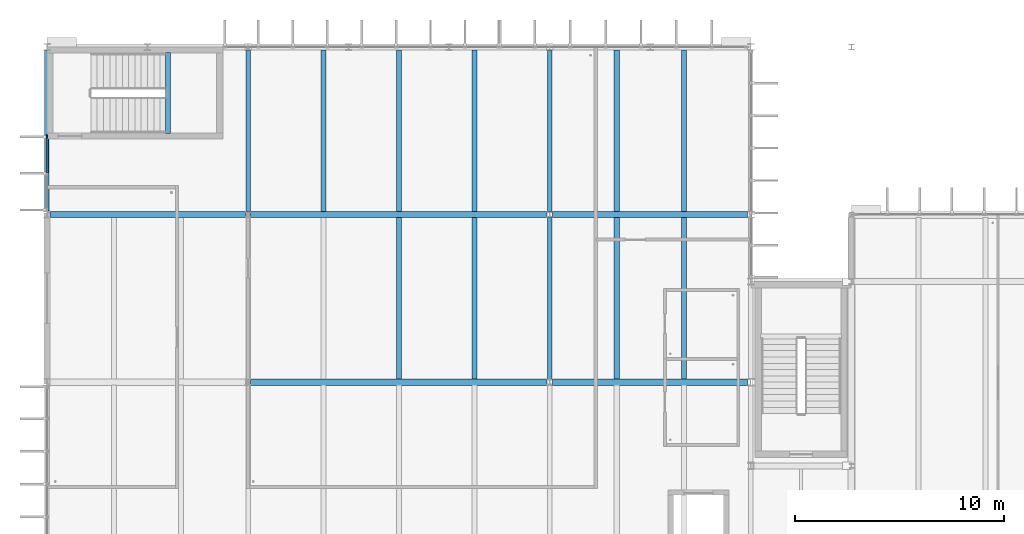
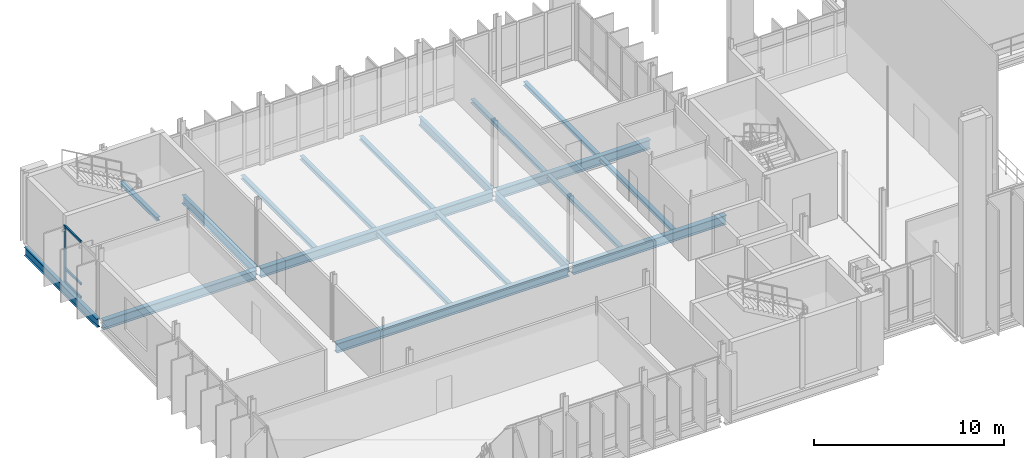
# One storey, part 9 of 41: 19 beams, 4 members, 1 element without a shape of its own.
"""IFC4 building model written with IfcOpenShell, lengths in metres."""

from ifc_helpers import new_model, si_unit, direction, frame, origin, origin_2d, place, context, subcontext, project, spatial, rectangle, i_section, extrude, material, material_profile, profile_set, type_object, element, aggregate, save


model = new_model("IFC4")

# Units and contexts
model_context = context("Model", 3, precision=1e-05, world=origin(), true_north=direction((0.0, 1.0)))
body_context = subcontext(model_context, "Body", "Model", "MODEL_VIEW")
ifc_project = project(units=[si_unit("LENGTHUNIT", "METRE"), si_unit("AREAUNIT", "SQUARE_METRE"), si_unit("VOLUMEUNIT", "CUBIC_METRE"), si_unit("PLANEANGLEUNIT", "RADIAN"), si_unit("MASSUNIT", "GRAM", prefix="KILO")], contexts=[model_context])

# Site, building, storey
site_placement = place(None, origin())
site = spatial("IfcSite", under=ifc_project, at=site_placement, CompositionType="ELEMENT")
building_placement = place(site_placement, origin())
building = spatial("IfcBuilding", under=site, at=building_placement, Name="Dunescarp Central Library", CompositionType="ELEMENT")
storey_placement = place(building_placement, frame((0.0, 0.0, 23.10009765625)))
storey = spatial("IfcBuildingStorey", under=building, at=storey_placement, Name="L05", CompositionType="ELEMENT", Elevation=23.10009765625)

# Curtain wall, members
ifc_material_1 = material(Name="Marine-grade anodised aluminium 6063-T6", Category="aluminium")
curtain_wall_type = type_object("IfcCurtainWallType", Name="ARC-CW-STICK", PredefinedType="NOTDEFINED", material=ifc_material_1)
curtain_wall_placement = place(storey_placement, origin())
curtain_wall = element("IfcCurtainWall", 1, at=curtain_wall_placement, inside=storey, type_object=curtain_wall_type, Name="L05 curtain wall CW-V1-036", PredefinedType="NOTDEFINED")
ifc_material_profile_1 = material_profile(ifc_material_1, rectangle(XDim=0.080078125, YDim=0.179931640625, at=origin_2d()), Name="AL 80x180")
ifc_profile_set_1 = profile_set([ifc_material_profile_1], Name="Marine-grade anodised aluminium 6063-T6")
member_type_1 = type_object("IfcMemberType", Name="ARC-CWM-180", PredefinedType="MULLION", material=ifc_profile_set_1)
member_1_placement = place(storey_placement, frame((0.0, 32.510009765625, 0.0), z_axis=(0.0, 0.0, 1.0), x_axis=(-1.0, 0.0, 0.0)))
member_1 = element("IfcMember", 2, at=member_1_placement, type_object=member_type_1, Name="CW-V1-036 mullion 3", PredefinedType="MULLION", context=body_context, shape_type="SweptSolid", body=[
    extrude(rectangle(XDim=0.080078125, YDim=0.179931640625, at=origin_2d()), origin(), (0.0, 0.0, 1.0), 3.65283203125),
])
ifc_material_profile_2 = material_profile(ifc_material_1, rectangle(XDim=0.080078125, YDim=0.14990234375, at=origin_2d()), Name="AL 80x150")
ifc_profile_set_2 = profile_set([ifc_material_profile_2], Name="Marine-grade anodised aluminium 6063-T6")
member_type_2 = type_object("IfcMemberType", Name="ARC-CWT-150", PredefinedType="USERDEFINED", material=ifc_profile_set_2)
member_2_placement = place(storey_placement, frame((0.0, 30.802490234375, 0.039794921875), z_axis=(0.0, 1.0, 0.0), x_axis=(-1.0, 0.0, 0.0)))
member_2 = element("IfcMember", 3, at=member_2_placement, type_object=member_type_2, Name="CW-V1-036 transom 2.1", ObjectType="TRANSOM", PredefinedType="USERDEFINED", context=body_context, shape_type="SweptSolid", body=[
    extrude(rectangle(XDim=0.080078125, YDim=0.14990234375, at=origin_2d()), origin(), (0.0, 0.0, 1.0), 1.66748046875),
])
member_3_placement = place(storey_placement, frame((0.0, 30.802490234375, 0.89990234375), z_axis=(0.0, 1.0, 0.0), x_axis=(-1.0, 0.0, 0.0)))
member_3 = element("IfcMember", 4, at=member_3_placement, type_object=member_type_2, Name="CW-V1-036 transom 2.2", ObjectType="TRANSOM", PredefinedType="USERDEFINED", context=body_context, shape_type="SweptSolid", body=[
    extrude(rectangle(XDim=0.080078125, YDim=0.14990234375, at=origin_2d()), origin(), (0.0, 0.0, 1.0), 1.66748046875),
])
member_4_placement = place(storey_placement, frame((0.0, 30.802490234375, 3.61279296875), z_axis=(0.0, 1.0, 0.0), x_axis=(-1.0, 0.0, 0.0)))
member_4 = element("IfcMember", 5, at=member_4_placement, type_object=member_type_2, Name="CW-V1-036 transom 2.3", ObjectType="TRANSOM", PredefinedType="USERDEFINED", context=body_context, shape_type="SweptSolid", body=[
    extrude(rectangle(XDim=0.080078125, YDim=0.14990234375, at=origin_2d()), origin(), (0.0, 0.0, 1.0), 1.66748046875),
])
aggregate(curtain_wall, [member_1, member_2, member_3, member_4])

# Beams
ifc_material_2 = material(Name="Steel S355JR", Category="steel")
ifc_material_profile_3 = material_profile(ifc_material_2, i_section(OverallWidth=0.300048828125, OverallDepth=0.590087890625, WebThickness=0.012939453125, FlangeThickness=0.02490234375, at=origin_2d()), Name="HEA 600")
ifc_profile_set_3 = profile_set([ifc_material_profile_3], Name="Steel S355JR")
beam_type_1 = type_object("IfcBeamType", Name="STR-BM-HEA600", PredefinedType="BEAM", material=ifc_profile_set_3)
beam_1_placement = place(storey_placement, frame((0.153076171875, 28.800048828125, -0.51513671875), z_axis=(1.0, 0.0, 0.0), x_axis=(0.0, 1.0, 0.0)))
element("IfcBeam", 6, at=beam_1_placement, inside=storey, type_object=beam_type_1, Name="L05 girder BM-L05-0232", PredefinedType="BEAM", context=body_context, shape_type="SweptSolid", body=[
    extrude(i_section(OverallWidth=0.300048828125, OverallDepth=0.590087890625, WebThickness=0.012939453125, FlangeThickness=0.02490234375, at=origin_2d()), origin(), (0.0, 0.0, 1.0), 9.31884765625),
])
for number, where, z_axis, x_axis, name in (
    (7, (9.72802734375, 20.800048828125, -0.51513671875), (1.0, 0.0, 0.0), (0.0, 1.0, 0.0), "L05 girder BM-L05-0246"),
    (8, (9.72802734375, 28.800048828125, -0.51513671875), (1.0, 0.0, 0.0), (0.0, 1.0, 0.0), "L05 girder BM-L05-0251"),
):
    element("IfcBeam", number, at=place(storey_placement, frame(where, z_axis=z_axis, x_axis=x_axis)), inside=storey, type_object=beam_type_1, Name=name, PredefinedType="BEAM", context=body_context, shape_type="SweptSolid", body=[
        extrude(i_section(OverallWidth=0.300048828125, OverallDepth=0.590087890625, WebThickness=0.012939453125, FlangeThickness=0.02490234375, at=origin_2d()), origin(), (0.0, 0.0, 1.0), 14.14404296875),
    ])
for number, where, z_axis, x_axis, name in (
    (9, (24.1279296875, 20.800048828125, -0.51513671875), (1.0, 0.0, 0.0), (0.0, 1.0, 0.0), "L05 girder BM-L05-0264"),
    (10, (24.1279296875, 28.800048828125, -0.51513671875), (1.0, 0.0, 0.0), (0.0, 1.0, 0.0), "L05 girder BM-L05-0268"),
):
    element("IfcBeam", number, at=place(storey_placement, frame(where, z_axis=z_axis, x_axis=x_axis)), inside=storey, type_object=beam_type_1, Name=name, PredefinedType="BEAM", context=body_context, shape_type="SweptSolid", body=[
        extrude(i_section(OverallWidth=0.300048828125, OverallDepth=0.590087890625, WebThickness=0.012939453125, FlangeThickness=0.02490234375, at=origin_2d()), origin(), (0.0, 0.0, 1.0), 9.319091796875),
    ])
ifc_material_profile_4 = material_profile(ifc_material_2, i_section(OverallWidth=0.2119140625, OverallDepth=0.54443359375, WebThickness=0.0126953125, FlangeThickness=0.021240234375, at=origin_2d()), Name="UB 533x210x122")
ifc_profile_set_4 = profile_set([ifc_material_profile_4], Name="Steel S355JR")
beam_type_2 = type_object("IfcBeamType", Name="STR-BM-UB533X122", PredefinedType="BEAM", material=ifc_profile_set_4)
beam_2_placement = place(storey_placement, frame((0.0, 28.9609375, -0.4921875), z_axis=(0.0, 1.0, 0.0), x_axis=(-1.0, 0.0, 0.0)))
element("IfcBeam", 11, at=beam_2_placement, inside=storey, type_object=beam_type_2, Name="L05 girder BM-L05-0238", PredefinedType="BEAM", context=body_context, shape_type="SweptSolid", body=[
    extrude(i_section(OverallWidth=0.2119140625, OverallDepth=0.54443359375, WebThickness=0.0126953125, FlangeThickness=0.021240234375, at=origin_2d()), origin(), (0.0, 0.0, 1.0), 7.677978515625),
])
beam_3_placement = place(storey_placement, frame((9.60009765625, 28.93505859375, -0.4921875), z_axis=(0.0, 1.0, 0.0), x_axis=(-1.0, 0.0, 0.0)))
element("IfcBeam", 12, at=beam_3_placement, inside=storey, type_object=beam_type_2, Name="L05 girder BM-L05-0239", PredefinedType="BEAM", context=body_context, shape_type="SweptSolid", body=[
    extrude(i_section(OverallWidth=0.2119140625, OverallDepth=0.54443359375, WebThickness=0.0126953125, FlangeThickness=0.021240234375, at=origin_2d()), origin(), (0.0, 0.0, 1.0), 7.703857421875),
])
beam_4_placement = place(storey_placement, frame((24.0, 20.93505859375, -0.4921875), z_axis=(0.0, 1.0, 0.0), x_axis=(-1.0, 0.0, 0.0)))
element("IfcBeam", 13, at=beam_4_placement, inside=storey, type_object=beam_type_2, Name="L05 girder BM-L05-0252", PredefinedType="BEAM", context=body_context, shape_type="SweptSolid", body=[
    extrude(i_section(OverallWidth=0.2119140625, OverallDepth=0.54443359375, WebThickness=0.0126953125, FlangeThickness=0.021240234375, at=origin_2d()), origin(), (0.0, 0.0, 1.0), 7.72998046875),
])
beam_5_placement = place(storey_placement, frame((24.0, 28.93505859375, -0.4921875), z_axis=(0.0, 1.0, 0.0), x_axis=(-1.0, 0.0, 0.0)))
element("IfcBeam", 14, at=beam_5_placement, inside=storey, type_object=beam_type_2, Name="L05 girder BM-L05-0257", PredefinedType="BEAM", context=body_context, shape_type="SweptSolid", body=[
    extrude(i_section(OverallWidth=0.2119140625, OverallDepth=0.54443359375, WebThickness=0.0126953125, FlangeThickness=0.021240234375, at=origin_2d()), origin(), (0.0, 0.0, 1.0), 7.703857421875),
])
ifc_material_profile_5 = material_profile(ifc_material_2, i_section(OverallWidth=0.239990234375, OverallDepth=0.22998046875, WebThickness=0.007568359375, FlangeThickness=0.011962890625, at=origin_2d()), Name="HEA 240")
ifc_profile_set_5 = profile_set([ifc_material_profile_5], Name="Steel S355JR")
beam_type_3 = type_object("IfcBeamType", Name="STR-JS-HEA240", PredefinedType="JOIST", material=ifc_profile_set_5)
beam_6_placement = place(storey_placement, frame((5.780029296875, 32.659912109375, 1.934814453125), z_axis=(0.0, 1.0, 0.0), x_axis=(-1.0, 0.0, 0.0)))
element("IfcBeam", 15, at=beam_6_placement, inside=storey, type_object=beam_type_3, Name="L05 ST-6 landing trimmer beam BM-ST-012", PredefinedType="BEAM", context=body_context, shape_type="SweptSolid", body=[
    extrude(i_section(OverallWidth=0.239990234375, OverallDepth=0.22998046875, WebThickness=0.007568359375, FlangeThickness=0.011962890625, at=origin_2d()), origin(), (0.0, 0.0, 1.0), 3.880126953125),
])
ifc_material_profile_6 = material_profile(ifc_material_2, i_section(OverallWidth=0.239990234375, OverallDepth=0.239990234375, WebThickness=0.010009765625, FlangeThickness=0.01708984375, at=origin_2d()), Name="HEB 240")
ifc_profile_set_6 = profile_set([ifc_material_profile_6], Name="Steel S355JR")
beam_type_4 = type_object("IfcBeamType", Name="STR-JS-HEB240", PredefinedType="JOIST", material=ifc_profile_set_6)
for number, where, z_axis, x_axis, name in (
    (16, (16.800048828125, 20.947998046875, -0.340087890625), (0.0, 1.0, 0.0), (-1.0, 0.0, 0.0), "L05 joist JS-L05-0254"),
    (17, (20.39990234375, 20.947998046875, -0.340087890625), (0.0, 1.0, 0.0), (-1.0, 0.0, 0.0), "L05 joist JS-L05-0255"),
    (18, (13.199951171875, 28.947998046875, -0.340087890625), (0.0, 1.0, 0.0), (-1.0, 0.0, 0.0), "L05 joist JS-L05-0258"),
    (19, (16.800048828125, 28.947998046875, -0.340087890625), (0.0, 1.0, 0.0), (-1.0, 0.0, 0.0), "L05 joist JS-L05-0259"),
    (20, (20.39990234375, 28.947998046875, -0.340087890625), (0.0, 1.0, 0.0), (-1.0, 0.0, 0.0), "L05 joist JS-L05-0260"),
    (21, (27.199951171875, 20.947998046875, -0.340087890625), (0.0, 1.0, 0.0), (-1.0, 0.0, 0.0), "L05 joist JS-L05-0270"),
    (22, (30.39990234375, 20.947998046875, -0.340087890625), (0.0, 1.0, 0.0), (-1.0, 0.0, 0.0), "L05 joist JS-L05-0271"),
    (23, (27.199951171875, 28.947998046875, -0.340087890625), (0.0, 1.0, 0.0), (-1.0, 0.0, 0.0), "L05 joist JS-L05-0274"),
    (24, (30.39990234375, 28.947998046875, -0.340087890625), (0.0, 1.0, 0.0), (-1.0, 0.0, 0.0), "L05 joist JS-L05-0275"),
):
    element("IfcBeam", number, at=place(storey_placement, frame(where, z_axis=z_axis, x_axis=x_axis)), inside=storey, type_object=beam_type_4, Name=name, PredefinedType="JOIST", context=body_context, shape_type="SweptSolid", body=[
        extrude(i_section(OverallWidth=0.239990234375, OverallDepth=0.239990234375, WebThickness=0.010009765625, FlangeThickness=0.01708984375, at=origin_2d()), origin(), (0.0, 0.0, 1.0), 7.7041015625),
    ])

save(model, "model.ifc")
